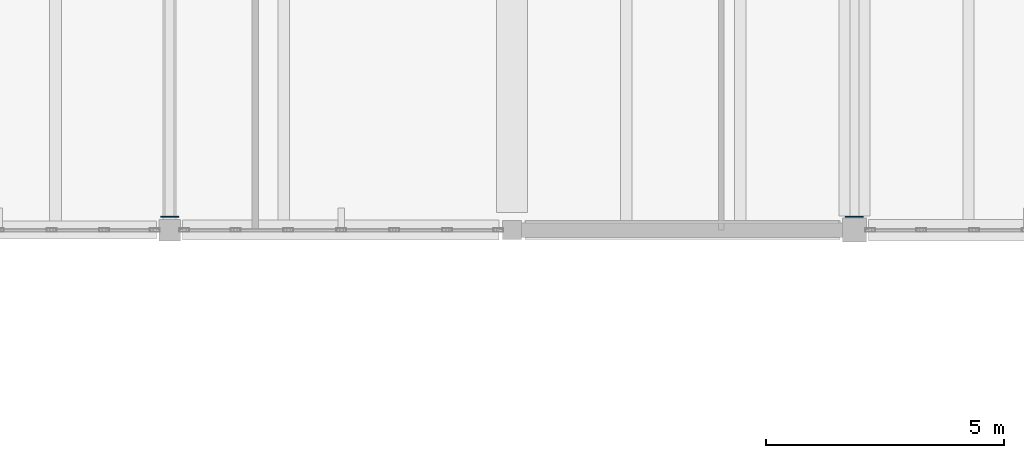
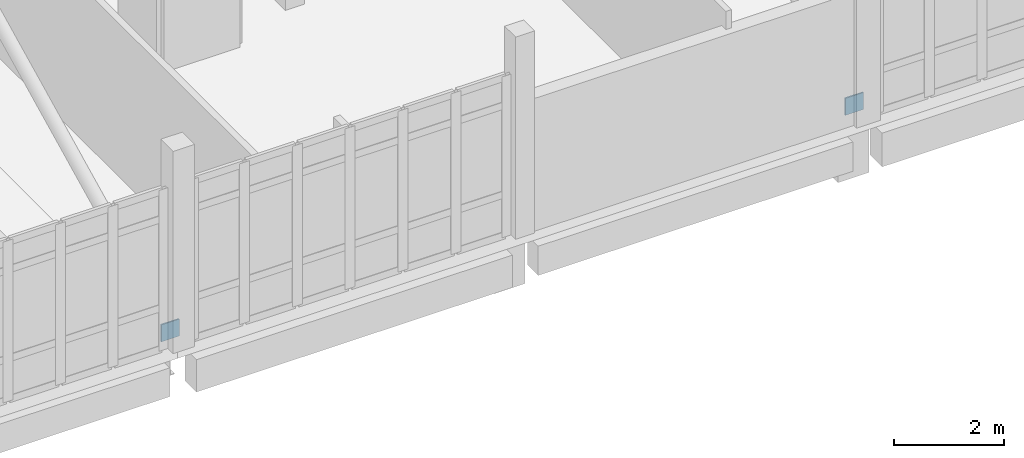
# One storey, part 26 of 34: 2 plates.
"""IFC4 building model written with IfcOpenShell, lengths in metres."""

from ifc_helpers import new_model, si_unit, direction, frame, origin, origin_2d, place, context, subcontext, project, spatial, rectangle, extrude, material, layer, layer_set, type_object, element, save


model = new_model("IFC4")

# Units and contexts
model_context = context("Model", 3, precision=1e-05, world=origin(), true_north=direction((0.0, 1.0)))
body_context = subcontext(model_context, "Body", "Model", "MODEL_VIEW")
ifc_project = project(units=[si_unit("LENGTHUNIT", "METRE"), si_unit("AREAUNIT", "SQUARE_METRE"), si_unit("VOLUMEUNIT", "CUBIC_METRE"), si_unit("PLANEANGLEUNIT", "RADIAN"), si_unit("MASSUNIT", "GRAM", prefix="KILO")], contexts=[model_context])

# Site, building, storey
site_placement = place(None, origin())
site = spatial("IfcSite", under=ifc_project, at=site_placement, CompositionType="ELEMENT")
building_placement = place(site_placement, origin())
building = spatial("IfcBuilding", under=site, at=building_placement, Name="Kalluvel Institute of Natural Sciences", CompositionType="ELEMENT")
storey_placement = place(building_placement, frame((0.0, 0.0, 36.89990234375)))
storey = spatial("IfcBuildingStorey", under=building, at=storey_placement, Name="L08", CompositionType="ELEMENT", Elevation=36.89990234375)

# Plates
ifc_material = material(Name="Steel E350 Grade 350", Category="steel")
ifc_layer = layer(ifc_material, 0.028076171875)
ifc_layer_set = layer_set([ifc_layer], Name="Steel E350 Grade 350")
plate_type = type_object("IfcPlateType", Name="PL-GUS-380x28", PredefinedType="USERDEFINED", material=ifc_layer_set)
for number, where, z_axis, x_axis, name in (
    (1, (64.39990234375, 103.080078125, -0.0498046875), (0.0, 0.0, 1.0), (1.0, 0.0, 0.0), "Crown lateral brace strut 4 node gusset and end cap plate S"),
    (2, (78.800048828125, 103.080078125, -0.0498046875), (0.0, 0.0, 1.0), (1.0, 0.0, 0.0), "Crown lateral brace strut 5 node gusset and end cap plate S"),
):
    element("IfcPlate", number, at=place(storey_placement, frame(where, z_axis=z_axis, x_axis=x_axis)), inside=storey, type_object=plate_type, Name=name, ObjectType="GUSSET PLATE", PredefinedType="USERDEFINED", context=body_context, shape_type="SweptSolid", body=[
        extrude(rectangle(XDim=0.3798828125, YDim=0.028076171875, at=origin_2d()), origin(), (0.0, 0.0, 1.0), 0.3798828125),
    ])

save(model, "model.ifc")
